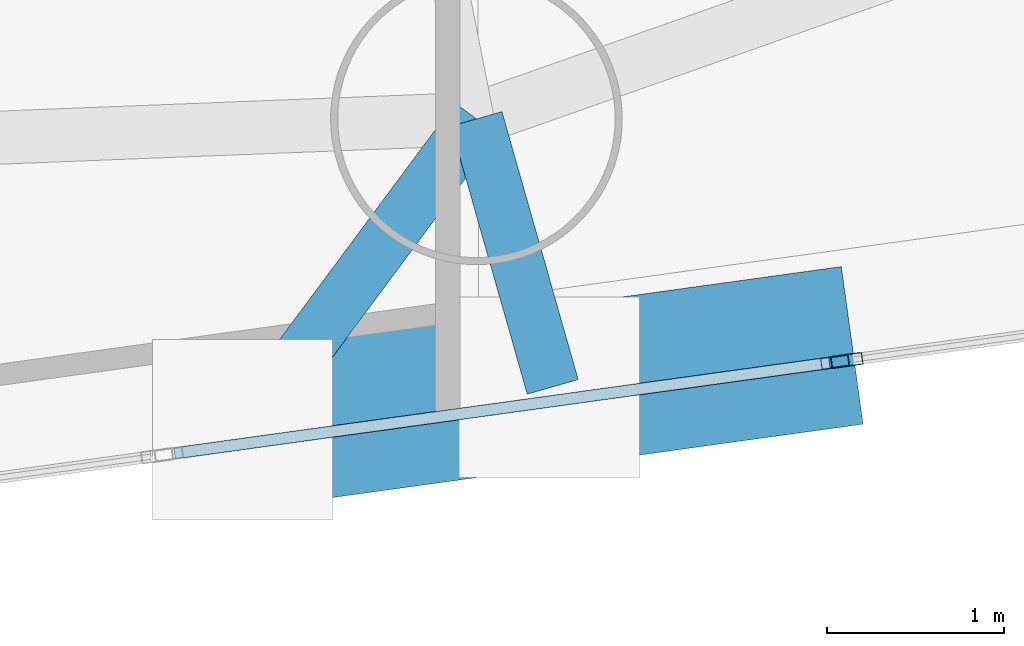
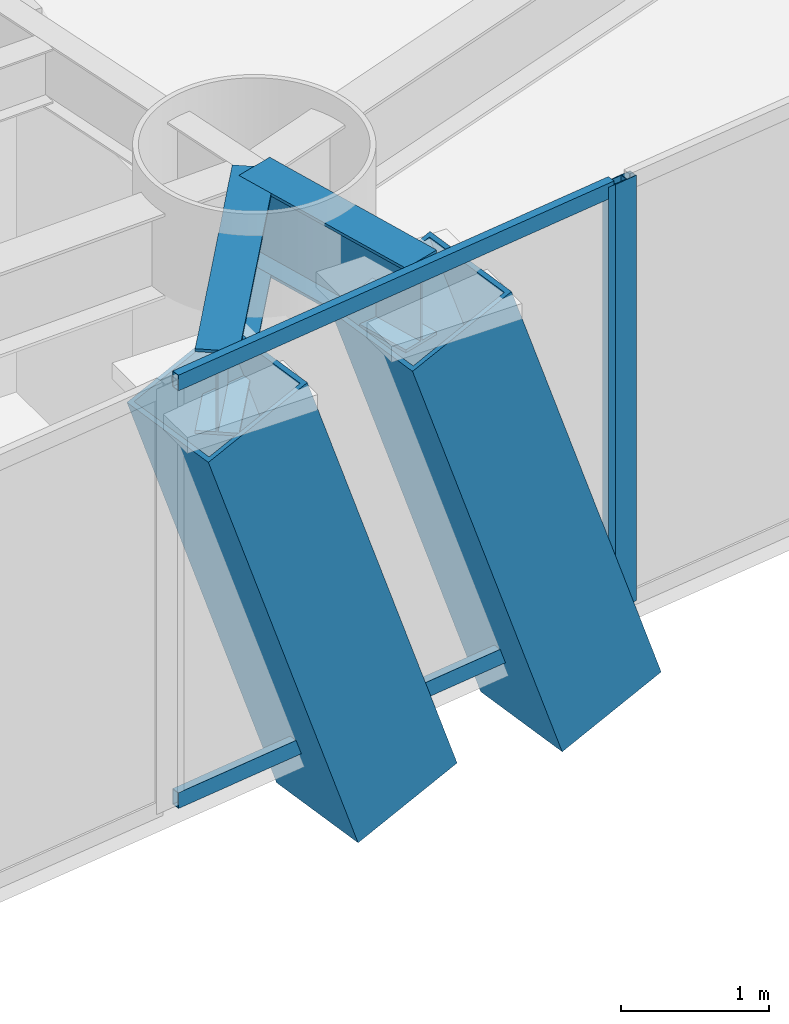
# One storey, part 6 of 23: 6 members, 2 beams, 2 elements without a shape of their own.
"""IFC4 building model written with IfcOpenShell, lengths in metres."""

from ifc_helpers import new_model, si_unit, direction, frame, origin, origin_2d, place, context, subcontext, project, spatial, hollow_rectangle, i_section, extrude, material, layer, layer_set, material_profile, profile_set, type_object, element, aggregate, save


model = new_model("IFC4")

# Units and contexts
model_context = context("Model", 3, precision=1e-05, world=origin(), true_north=direction((0.0, 1.0)))
body_context = subcontext(model_context, "Body", "Model", "MODEL_VIEW")
ifc_project = project(units=[si_unit("LENGTHUNIT", "METRE"), si_unit("AREAUNIT", "SQUARE_METRE"), si_unit("VOLUMEUNIT", "CUBIC_METRE"), si_unit("PLANEANGLEUNIT", "RADIAN"), si_unit("MASSUNIT", "GRAM", prefix="KILO")], contexts=[model_context])

# Site, building, storey
site_placement = place(None, origin())
site = spatial("IfcSite", under=ifc_project, at=site_placement, CompositionType="ELEMENT")
building_placement = place(site_placement, origin())
building = spatial("IfcBuilding", under=site, at=building_placement, Name="Qianvela Tower", CompositionType="ELEMENT")
storey_placement = place(building_placement, frame((0.0, 0.0, 74.699951171875)))
storey = spatial("IfcBuildingStorey", under=building, at=storey_placement, Name="L18", CompositionType="ELEMENT", Elevation=74.699951171875)

# Beams
ifc_material_1 = material(Name="Steel Q355B", Category="steel")
ifc_material_profile_1 = material_profile(ifc_material_1, i_section(OverallWidth=0.300048828125, OverallDepth=0.699951171875, WebThickness=0.012939453125, FlangeThickness=0.02392578125, at=origin_2d()), Name="HN700x300x13x24")
ifc_profile_set_1 = profile_set([ifc_material_profile_1], Name="Steel Q355B")
beam_type = type_object("IfcBeamType", Name="BM-HN700-SPAND", PredefinedType="SPANDREL", material=ifc_profile_set_1)
beam_1_placement = place(storey_placement, frame((40.18896484375, 14.819091796875, 3.16796875), z_axis=(-0.596297288975, -0.802763690734, 0.0), x_axis=(0.802763690734, -0.596297288975, 0.0)))
element("IfcBeam", 1, at=beam_1_placement, inside=storey, type_object=beam_type, Name="L18 Mega-Brace Column Tie Bracket F3-1", PredefinedType="SPANDREL", context=body_context, shape_type="SweptSolid", body=[
    extrude(i_section(OverallWidth=0.300048828125, OverallDepth=0.699951171875, WebThickness=0.012939453125, FlangeThickness=0.02392578125, at=origin_2d()), origin(), (0.0, 0.0, 1.0), 2.1875),
])
beam_2_placement = place(storey_placement, frame((40.18896484375, 14.819091796875, 3.16796875), z_axis=(0.273820972757, -0.961780679198, 0.0), x_axis=(0.961780679198, 0.273820972757, 0.0)))
element("IfcBeam", 2, at=beam_2_placement, inside=storey, type_object=beam_type, Name="L18 Mega-Brace Column Tie Bracket F3-2", PredefinedType="SPANDREL", context=body_context, shape_type="SweptSolid", body=[
    extrude(i_section(OverallWidth=0.300048828125, OverallDepth=0.699951171875, WebThickness=0.012939453125, FlangeThickness=0.02392578125, at=origin_2d()), origin(), (0.0, 0.0, 1.0), 1.576416015625),
])

# Curtain wall, members
ifc_material_2 = material(Name="Anodised Architectural Aluminium and Insulated Spandrel Panel", Category="aluminium")
ifc_layer_1 = layer(ifc_material_2, 0.179931640625)
ifc_layer_set_1 = layer_set([ifc_layer_1], Name="Anodised Architectural Aluminium and Insulated Spandrel Panel")
curtain_wall_type_1 = type_object("IfcCurtainWallType", Name="CW-BRACEBAY", PredefinedType="USERDEFINED", material=ifc_layer_set_1)
curtain_wall_1_placement = place(storey_placement, origin())
curtain_wall_1 = element("IfcCurtainWall", 3, at=curtain_wall_1_placement, inside=storey, type_object=curtain_wall_type_1, Name="L18 CW-BRACEBAY Curtain Wall 06B", ObjectType="CURTAIN_WALL_SYSTEM", PredefinedType="USERDEFINED")
ifc_material_3 = material(Name="Anodised Architectural Aluminium 6063-T6", Category="aluminium")
ifc_material_profile_2 = material_profile(ifc_material_3, hollow_rectangle(XDim=0.06494140625, YDim=0.159912109375, WallThickness=0.0048828125, at=origin_2d()), Name="ALU-MULL-65x160")
ifc_profile_set_2 = profile_set([ifc_material_profile_2], Name="Anodised Architectural Aluminium 6063-T6")
member_type_1 = type_object("IfcMemberType", Name="CW-BRACEBAY-MULL", PredefinedType="MULLION", material=ifc_profile_set_2)
member_1_placement = place(storey_placement, frame((42.217529296875, 13.443115234375, 0.0), z_axis=(0.0, 0.0, 1.0), x_axis=(-0.136977529545, 0.990574154922, 0.0)))
member_1 = element("IfcMember", 4, at=member_1_placement, type_object=member_type_1, Name="CW-9 mullion 2", PredefinedType="MULLION", context=body_context, shape_type="SweptSolid", body=[
    extrude(hollow_rectangle(XDim=0.06494140625, YDim=0.159912109375, WallThickness=0.0048828125, at=origin_2d()), origin(), (0.0, 0.0, 1.0), 3.52001953125),
])
ifc_material_4 = material(Name="Anodised Architectural Aluminium 6063-T6", Category="aluminium")
ifc_material_profile_3 = material_profile(ifc_material_4, hollow_rectangle(XDim=0.06494140625, YDim=0.1298828125, WallThickness=0.00439453125, at=origin_2d()), Name="ALU-TRAN-65x130")
ifc_profile_set_3 = profile_set([ifc_material_profile_3], Name="Anodised Architectural Aluminium 6063-T6")
member_type_2 = type_object("IfcMemberType", Name="CW-BRACEBAY-TRAN", PredefinedType="USERDEFINED", material=ifc_profile_set_3)
member_2_placement = place(storey_placement, frame((38.480712890625, 12.926513671875, 0.032470703125), z_axis=(0.990576591084, 0.136959910906, 0.0), x_axis=(-0.136959910906, 0.990576591084, 0.0)))
member_2 = element("IfcMember", 5, at=member_2_placement, type_object=member_type_2, Name="CW-9 transom 1.1", ObjectType="TRANSOM", PredefinedType="USERDEFINED", context=body_context, shape_type="SweptSolid", body=[
    extrude(hollow_rectangle(XDim=0.06494140625, YDim=0.1298828125, WallThickness=0.00439453125, at=origin_2d()), origin(), (0.0, 0.0, 1.0), 3.73974609375),
])
member_3_placement = place(storey_placement, frame((38.480712890625, 12.926513671875, 3.487548828125), z_axis=(0.990576591084, 0.136959910906, 0.0), x_axis=(-0.136959910906, 0.990576591084, 0.0)))
member_3 = element("IfcMember", 6, at=member_3_placement, type_object=member_type_2, Name="CW-9 transom 1.2", ObjectType="TRANSOM", PredefinedType="USERDEFINED", context=body_context, shape_type="SweptSolid", body=[
    extrude(hollow_rectangle(XDim=0.06494140625, YDim=0.1298828125, WallThickness=0.00439453125, at=origin_2d()), origin(), (0.0, 0.0, 1.0), 3.73974609375),
])
aggregate(curtain_wall_1, [member_1, member_2, member_3])

# Curtain wall, member
ifc_material_5 = material(Name="Anodised Architectural Aluminium and Low-E Glass", Category="aluminium")
ifc_layer_2 = layer(ifc_material_5, 0.179931640625)
ifc_layer_set_2 = layer_set([ifc_layer_2], Name="Anodised Architectural Aluminium and Low-E Glass")
curtain_wall_type_2 = type_object("IfcCurtainWallType", Name="CW-COLIV-Z12", PredefinedType="USERDEFINED", material=ifc_layer_set_2)
curtain_wall_2_placement = place(storey_placement, origin())
curtain_wall_2 = element("IfcCurtainWall", 7, at=curtain_wall_2_placement, inside=storey, type_object=curtain_wall_type_2, Name="L18 CW-COLIV-Z12 Curtain Wall 06C", ObjectType="CURTAIN_WALL_SYSTEM", PredefinedType="USERDEFINED")
ifc_material_6 = material(Name="Anodised Architectural Aluminium 6063-T6", Category="aluminium")
ifc_material_profile_4 = material_profile(ifc_material_6, hollow_rectangle(XDim=0.070068359375, YDim=0.179931640625, WallThickness=0.0048828125, at=origin_2d()), Name="ALU-MULL-70x180")
ifc_profile_set_4 = profile_set([ifc_material_profile_4], Name="Anodised Architectural Aluminium 6063-T6")
member_type_3 = type_object("IfcMemberType", Name="CW-COLIV-Z12-MULL", PredefinedType="MULLION", material=ifc_profile_set_4)
member_4_placement = place(storey_placement, frame((42.284423828125, 13.452392578125, 0.0), z_axis=(0.0, 0.0, 1.0), x_axis=(-0.136984633674, 0.99057317253, 0.0)))
member_4 = element("IfcMember", 8, at=member_4_placement, type_object=member_type_3, Name="CW-3 mullion 1", PredefinedType="MULLION", context=body_context, shape_type="SweptSolid", body=[
    extrude(hollow_rectangle(XDim=0.070068359375, YDim=0.179931640625, WallThickness=0.0048828125, at=origin_2d()), origin(), (0.0, 0.0, 1.0), 3.52001953125),
])
aggregate(curtain_wall_2, [member_4])

# Members
ifc_material_7 = material(Name="Steel Q420GJC", Category="steel")
ifc_material_profile_5 = material_profile(ifc_material_7, hollow_rectangle(XDim=0.89990234375, YDim=0.89990234375, WallThickness=0.035888671875, at=origin_2d()), Name="MBOX-900x900x36")
ifc_profile_set_5 = profile_set([ifc_material_profile_5], Name="Steel Q420GJC")
member_type_4 = type_object("IfcMemberType", Name="MBR-MBRACE-900", PredefinedType="BRACE", material=ifc_profile_set_5)
member_5_placement = place(storey_placement, frame((40.157958984375, 13.239013671875, -0.531982421875), z_axis=(-0.325111903667, -0.044939739751, 0.944607151087), x_axis=(0.136926580593, -0.990581198856, 0.0)))
element("IfcMember", 9, at=member_5_placement, inside=storey, type_object=member_type_4, Name="L18 Tier 3 Exterior Mega-Brace F3A", PredefinedType="BRACE", context=body_context, shape_type="SweptSolid", body=[
    extrude(hollow_rectangle(XDim=0.89990234375, YDim=0.89990234375, WallThickness=0.035888671875, at=origin_2d()), origin(), (0.0, 0.0, 1.0), 3.9169921875),
])
member_6_placement = place(storey_placement, frame((41.893798828125, 13.479248046875, -0.531982421875), z_axis=(-0.325055249176, -0.045002855207, 0.944623643578), x_axis=(0.137138722321, -0.990551851667, 0.0)))
element("IfcMember", 10, at=member_6_placement, inside=storey, type_object=member_type_4, Name="L18 Tier 3 Exterior Mega-Brace F3B", PredefinedType="BRACE", context=body_context, shape_type="SweptSolid", body=[
    extrude(hollow_rectangle(XDim=0.89990234375, YDim=0.89990234375, WallThickness=0.035888671875, at=origin_2d()), origin(), (0.0, 0.0, 1.0), 3.916748046875),
])

save(model, "model.ifc")
